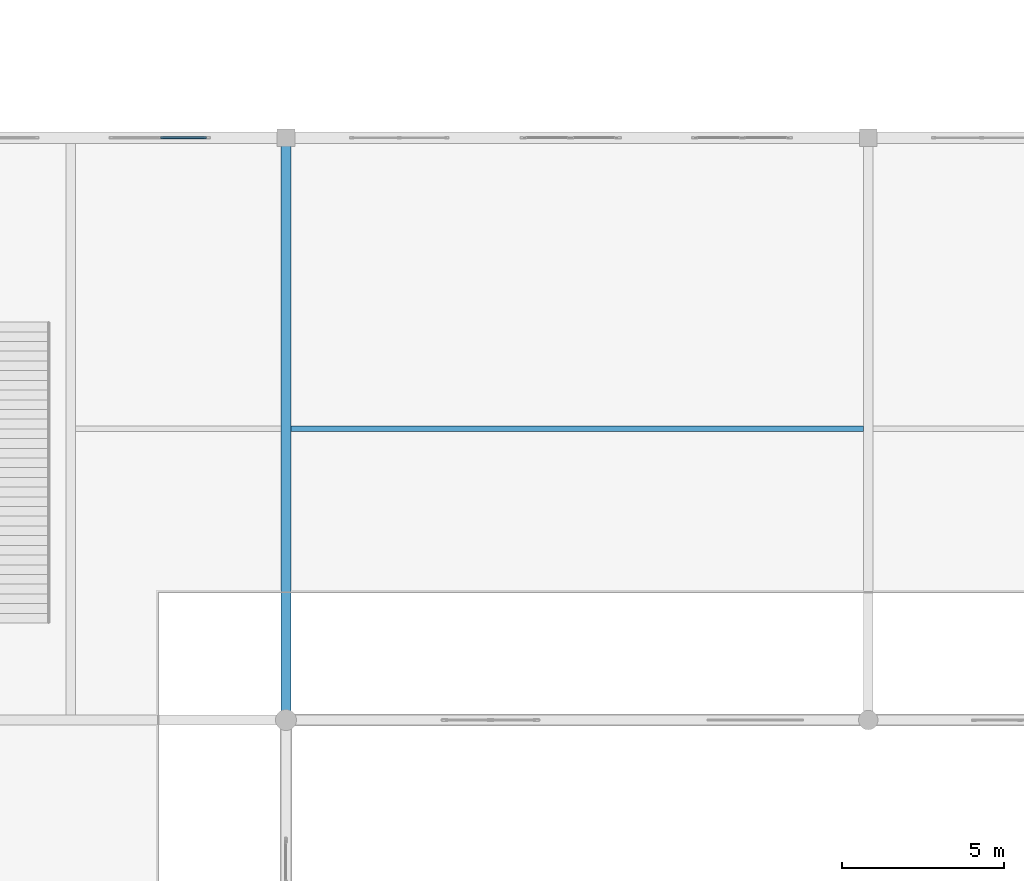
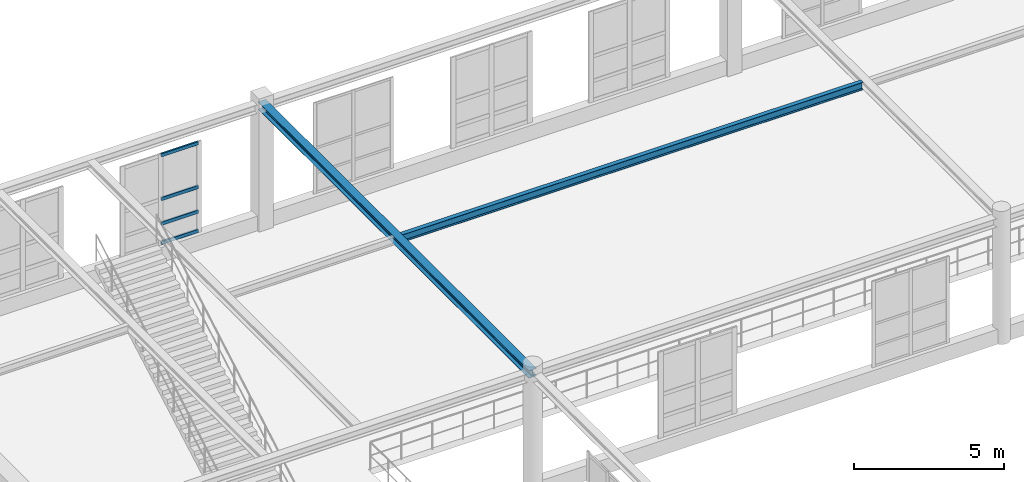
# One storey, part 82 of 197: 4 members, 2 beams, 1 element without a shape of its own.
"""IFC4 building model written with IfcOpenShell, lengths in metres."""

from ifc_helpers import new_model, si_unit, derived_unit, direction, frame, origin, origin_2d, place, context, subcontext, project, spatial, hollow_rectangle, i_section, extrude, material, layer, layer_set, material_profile, profile_set, type_object, element, aggregate, save


model = new_model("IFC4")

# Units and contexts
model_context = context("Model", 3, precision=1e-05, world=origin(), true_north=direction((0.0, 1.0)))
body_context = subcontext(model_context, "Body", "Model", "MODEL_VIEW")
ifc_project = project(units=[si_unit("LENGTHUNIT", "METRE"), si_unit("AREAUNIT", "SQUARE_METRE"), si_unit("VOLUMEUNIT", "CUBIC_METRE"), si_unit("PLANEANGLEUNIT", "RADIAN"), si_unit("MASSUNIT", "GRAM", prefix="KILO"), derived_unit("THERMALTRANSMITTANCEUNIT", [(si_unit("POWERUNIT", "WATT"), 1), (si_unit("LENGTHUNIT", "METRE"), -2), (si_unit("THERMODYNAMICTEMPERATUREUNIT", "KELVIN"), -1)])], contexts=[model_context])

# Site, building, storey
site_placement = place(None, origin())
site = spatial("IfcSite", under=ifc_project, at=site_placement, CompositionType="ELEMENT")
building_placement = place(site_placement, origin())
building = spatial("IfcBuilding", under=site, at=building_placement, Name="Almenara Railside Exhibition Hall", CompositionType="ELEMENT")
storey_placement = place(building_placement, frame((0.0, 0.0, 5.39990234375)))
storey = spatial("IfcBuildingStorey", under=building, at=storey_placement, Name="L01", CompositionType="ELEMENT", Elevation=5.39990234375)

# Curtain wall, members
ifc_material_1 = material(Name="Bronze-anodised aluminium and low-E double glazing", Category="aluminium")
ifc_layer = layer(ifc_material_1, 0.179931640625, Name="Bronze-anodised aluminium and low-E double glazing")
ifc_layer_set = layer_set([ifc_layer], Name="Bronze-anodised aluminium and low-E double glazing")
curtain_wall_type = type_object("IfcCurtainWallType", Name="Courtyard North Galeria Curtain Wall 3000x3700", PredefinedType="NOTDEFINED", material=ifc_layer_set)
curtain_wall_placement = place(storey_placement, origin())
curtain_wall = element("IfcCurtainWall", 1, at=curtain_wall_placement, inside=storey, type_object=curtain_wall_type, Name="Curtain wall CW-CY1-124", PredefinedType="NOTDEFINED")
ifc_material_2 = material(Name="Bronze-anodised aluminium", Category="aluminium")
ifc_material_profile_1 = material_profile(ifc_material_2, hollow_rectangle(XDim=0.06494140625, YDim=0.139892578125, WallThickness=0.00341796875, InnerFilletRadius=0.00341796875, OuterFilletRadius=0.007080078125, at=origin_2d()), Name="ALU-TRN 65x140x3.5")
ifc_profile_set_1 = profile_set([ifc_material_profile_1], Name="Bronze-anodised aluminium")
member_type = type_object("IfcMemberType", Name="Curtain Wall Transom 65x140x3.5", PredefinedType="USERDEFINED", material=ifc_profile_set_1)
member_1_placement = place(storey_placement, frame((80.12451171875, 108.0, 0.670166015625), z_axis=(1.0, 0.0, 0.0), x_axis=(0.0, 1.0, 0.0)))
member_1 = element("IfcMember", 2, at=member_1_placement, type_object=member_type, Name="CW-CY1-124 transom 2.1", ObjectType="TRANSOM", PredefinedType="USERDEFINED", context=body_context, shape_type="SweptSolid", body=[
    extrude(hollow_rectangle(XDim=0.06494140625, YDim=0.139892578125, WallThickness=0.00341796875, InnerFilletRadius=0.00341796875, OuterFilletRadius=0.007080078125, at=origin_2d()), origin(), (0.0, 0.0, 1.0), 1.41845703125),
])
member_2_placement = place(storey_placement, frame((80.12451171875, 108.0, 1.4501953125), z_axis=(1.0, 0.0, 0.0), x_axis=(0.0, 1.0, 0.0)))
member_2 = element("IfcMember", 3, at=member_2_placement, type_object=member_type, Name="CW-CY1-124 transom 2.2", ObjectType="TRANSOM", PredefinedType="USERDEFINED", context=body_context, shape_type="SweptSolid", body=[
    extrude(hollow_rectangle(XDim=0.06494140625, YDim=0.139892578125, WallThickness=0.00341796875, InnerFilletRadius=0.00341796875, OuterFilletRadius=0.007080078125, at=origin_2d()), origin(), (0.0, 0.0, 1.0), 1.41845703125),
])
member_3_placement = place(storey_placement, frame((80.12451171875, 108.0, 2.4501953125), z_axis=(1.0, 0.0, 0.0), x_axis=(0.0, 1.0, 0.0)))
member_3 = element("IfcMember", 4, at=member_3_placement, type_object=member_type, Name="CW-CY1-124 transom 2.3", ObjectType="TRANSOM", PredefinedType="USERDEFINED", context=body_context, shape_type="SweptSolid", body=[
    extrude(hollow_rectangle(XDim=0.06494140625, YDim=0.139892578125, WallThickness=0.00341796875, InnerFilletRadius=0.00341796875, OuterFilletRadius=0.007080078125, at=origin_2d()), origin(), (0.0, 0.0, 1.0), 1.41845703125),
])
member_4_placement = place(storey_placement, frame((80.12451171875, 108.0, 4.22998046875), z_axis=(1.0, 0.0, 0.0), x_axis=(0.0, 1.0, 0.0)))
member_4 = element("IfcMember", 5, at=member_4_placement, type_object=member_type, Name="CW-CY1-124 transom 2.4", ObjectType="TRANSOM", PredefinedType="USERDEFINED", context=body_context, shape_type="SweptSolid", body=[
    extrude(hollow_rectangle(XDim=0.06494140625, YDim=0.139892578125, WallThickness=0.00341796875, InnerFilletRadius=0.00341796875, OuterFilletRadius=0.007080078125, at=origin_2d()), origin(), (0.0, 0.0, 1.0), 1.41845703125),
])
aggregate(curtain_wall, [member_1, member_2, member_3, member_4])

# Beams
ifc_material_3 = material(Name="Structural steel S355JR", Category="steel")
ifc_material_profile_2 = material_profile(ifc_material_3, i_section(OverallWidth=0.300048828125, OverallDepth=0.31005859375, WebThickness=0.009033203125, FlangeThickness=0.015380859375, FilletRadius=0.027099609375, at=origin_2d()), Name="HEA 320")
ifc_profile_set_2 = profile_set([ifc_material_profile_2], Name="Structural steel S355JR")
beam_type_1 = type_object("IfcBeamType", Name="Steel Concourse Edge Beam HEA 320 S355JR", PredefinedType="BEAM", material=ifc_profile_set_2)
beam_1_placement = place(storey_placement, frame((84.0, 90.0, 4.93115234375), z_axis=(0.0, 1.0, 0.0), x_axis=(-1.0, 0.0, 0.0)))
element("IfcBeam", 6, at=beam_1_placement, inside=storey, type_object=beam_type_1, Name="Beam 0815", PredefinedType="BEAM", context=body_context, shape_type="SweptSolid", body=[
    extrude(i_section(OverallWidth=0.300048828125, OverallDepth=0.31005859375, WebThickness=0.009033203125, FlangeThickness=0.015380859375, FilletRadius=0.027099609375, at=origin_2d()), origin(), (0.0, 0.0, 1.0), 18.0),
])
ifc_material_profile_3 = material_profile(ifc_material_3, i_section(OverallWidth=0.165771484375, OverallDepth=0.306640625, WebThickness=0.006591796875, FlangeThickness=0.01171875, FilletRadius=0.0087890625, at=origin_2d()), Name="UB 305x165x46")
ifc_profile_set_3 = profile_set([ifc_material_profile_3], Name="Structural steel S355JR")
beam_type_2 = type_object("IfcBeamType", Name="Steel Walkway Joist UB 305x165x46 S355JR", PredefinedType="JOIST", material=ifc_profile_set_3)
beam_2_placement = place(storey_placement, frame((84.14990234375, 99.0, 4.932861328125), z_axis=(1.0, 0.0, 0.0), x_axis=(0.0, 1.0, 0.0)))
element("IfcBeam", 7, at=beam_2_placement, inside=storey, type_object=beam_type_2, Name="Beam 0802", PredefinedType="JOIST", context=body_context, shape_type="SweptSolid", body=[
    extrude(i_section(OverallWidth=0.165771484375, OverallDepth=0.306640625, WebThickness=0.006591796875, FlangeThickness=0.01171875, FilletRadius=0.0087890625, at=origin_2d()), origin(), (0.0, 0.0, 1.0), 17.7001953125),
])

save(model, "model.ifc")
